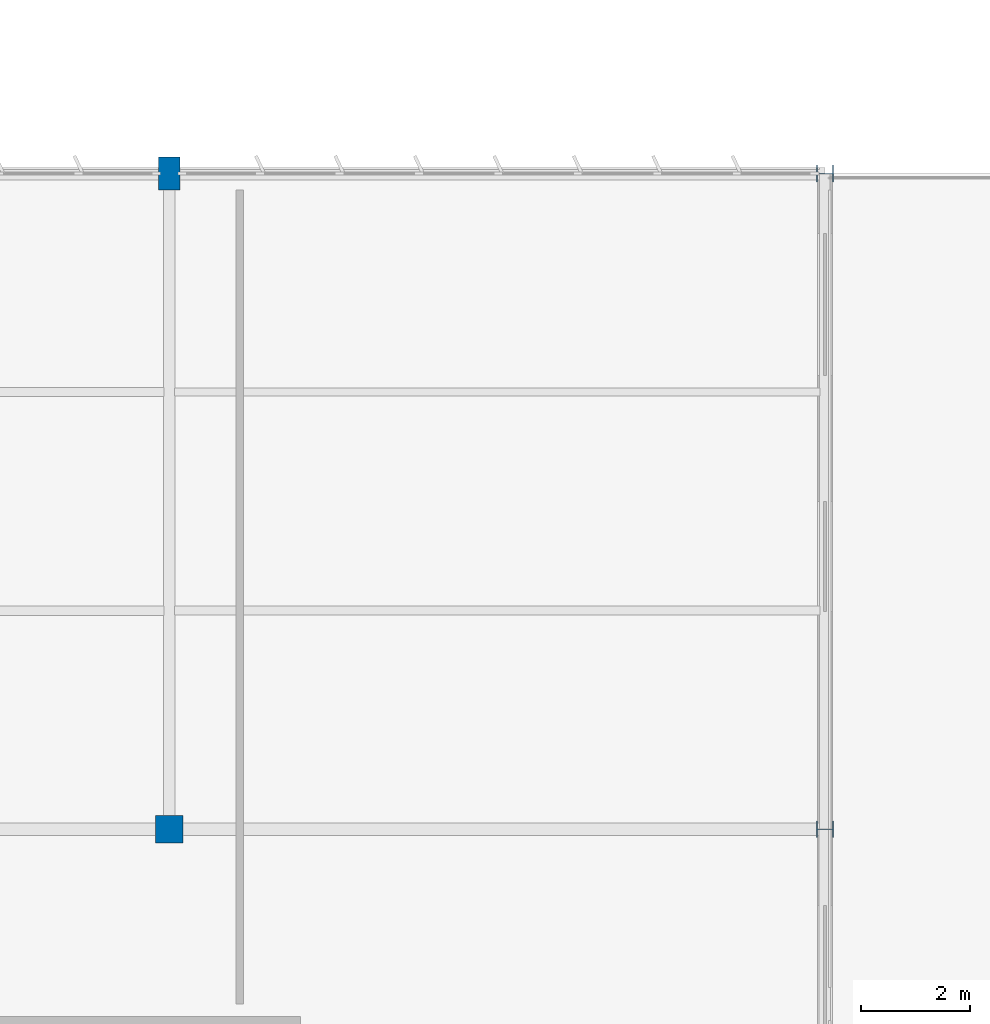
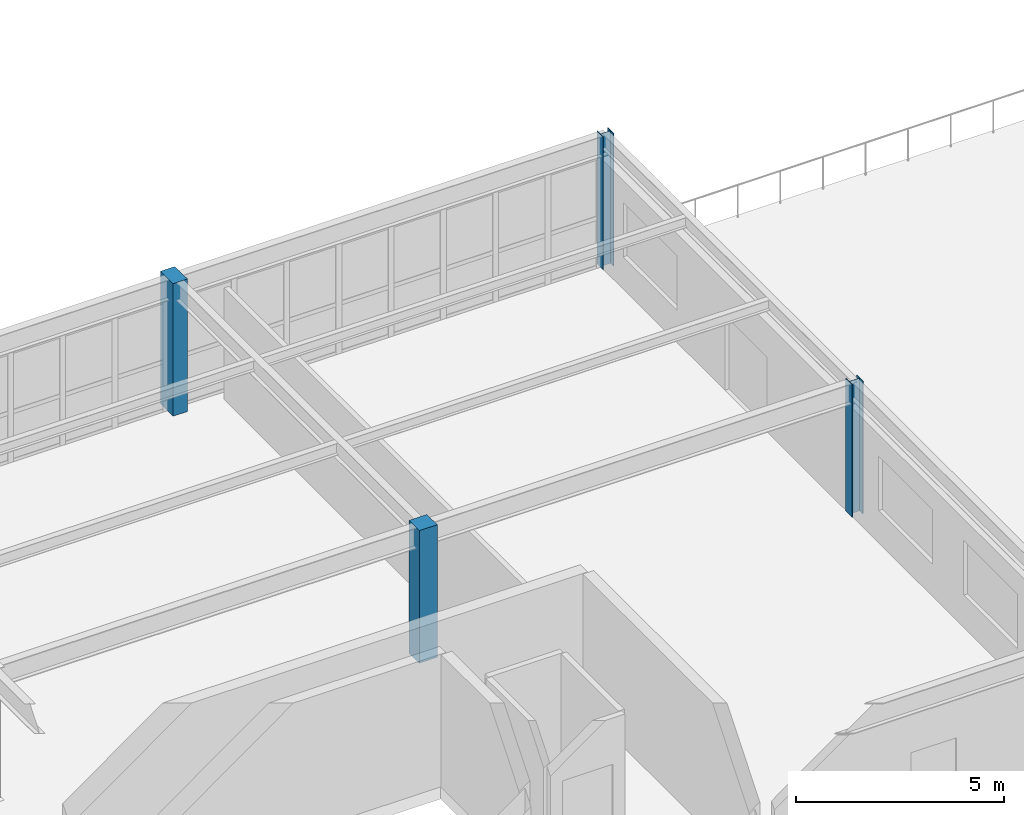
# One storey, part 20 of 128: 4 columns.
"""IFC4 building model written with IfcOpenShell, lengths in metres."""

from ifc_helpers import new_model, si_unit, direction, frame, origin, origin_2d, place, context, subcontext, project, spatial, rectangle, i_section, extrude, material, material_profile, profile_set, type_object, element, save


model = new_model("IFC4")

# Units and contexts
model_context = context("Model", 3, precision=1e-05, world=origin(), true_north=direction((0.0, 1.0)))
body_context = subcontext(model_context, "Body", "Model", "MODEL_VIEW")
ifc_project = project(units=[si_unit("LENGTHUNIT", "METRE"), si_unit("AREAUNIT", "SQUARE_METRE"), si_unit("VOLUMEUNIT", "CUBIC_METRE"), si_unit("PLANEANGLEUNIT", "RADIAN"), si_unit("MASSUNIT", "GRAM", prefix="KILO")], contexts=[model_context])

# Site, building, storey
site_placement = place(None, origin())
site = spatial("IfcSite", under=ifc_project, at=site_placement, CompositionType="ELEMENT")
building_placement = place(site_placement, origin())
building = spatial("IfcBuilding", under=site, at=building_placement, Name="Tarnwether General Hospital", CompositionType="ELEMENT")
storey_placement = place(building_placement, frame((0.0, 0.0, 14.39990234375)))
storey = spatial("IfcBuildingStorey", under=building, at=storey_placement, Name="L03", CompositionType="ELEMENT", Elevation=14.39990234375)

# Columns
ifc_material_1 = material(Name="Steel Grade 350 (350 MPa)", Category="steel")
ifc_material_profile_1 = material_profile(ifc_material_1, i_section(OverallWidth=0.306884765625, OverallDepth=0.31494140625, WebThickness=0.011962890625, FlangeThickness=0.018798828125, at=origin_2d()), Name="310UC118")
ifc_profile_set_1 = profile_set([ifc_material_profile_1], Name="Steel Grade 350 (350 MPa)")
column_type_1 = type_object("IfcColumnType", Name="COL-07", PredefinedType="COLUMN", material=ifc_profile_set_1)
column_1_placement = place(storey_placement, frame((180.0, 33.60009765625, 0.0), z_axis=(0.0, 0.0, 1.0), x_axis=(0.0, 1.0, 0.0)))
element("IfcColumn", 1, at=column_1_placement, inside=storey, type_object=column_type_1, Name="Column COLG-L03-18000_3360", PredefinedType="COLUMN", context=body_context, shape_type="SweptSolid", body=[
    extrude(i_section(OverallWidth=0.306884765625, OverallDepth=0.31494140625, WebThickness=0.011962890625, FlangeThickness=0.018798828125, at=origin_2d()), origin(), (0.0, 0.0, 1.0), 3.900146484375),
])
ifc_material_2 = material(Name="Steel Grade 350 (350 MPa)", Category="steel")
ifc_material_profile_2 = material_profile(ifc_material_2, i_section(OverallWidth=0.304931640625, OverallDepth=0.30810546875, WebThickness=0.010009765625, FlangeThickness=0.015380859375, at=origin_2d()), Name="310UC96.8")
ifc_profile_set_2 = profile_set([ifc_material_profile_2], Name="Steel Grade 350 (350 MPa)")
column_type_2 = type_object("IfcColumnType", Name="COL-08", PredefinedType="COLUMN", material=ifc_profile_set_2)
column_2_placement = place(storey_placement, frame((180.0, 45.60009765625, 0.0), z_axis=(0.0, 0.0, 1.0), x_axis=(0.0, 1.0, 0.0)))
element("IfcColumn", 2, at=column_2_placement, inside=storey, type_object=column_type_2, Name="Column COLG-L03-18000_4560", PredefinedType="COLUMN", context=body_context, shape_type="SweptSolid", body=[
    extrude(i_section(OverallWidth=0.304931640625, OverallDepth=0.30810546875, WebThickness=0.010009765625, FlangeThickness=0.015380859375, at=origin_2d()), origin(), (0.0, 0.0, 1.0), 3.900146484375),
])
ifc_material_3 = material(Name="Concrete 50 MPa", Category="concrete")
ifc_material_profile_3 = material_profile(ifc_material_3, rectangle(XDim=0.5, YDim=0.5, at=origin_2d()), Name="RC-COL-500x500")
ifc_profile_set_3 = profile_set([ifc_material_profile_3], Name="Concrete 50 MPa")
column_type_3 = type_object("IfcColumnType", Name="COL-20", PredefinedType="COLUMN", material=ifc_profile_set_3)
column_3_placement = place(storey_placement, frame((168.0, 33.60009765625, 0.0), z_axis=(0.0, 0.0, 1.0), x_axis=(1.0, 0.0, 0.0)))
element("IfcColumn", 3, at=column_3_placement, inside=storey, type_object=column_type_3, Name="Column COLG-L03-16800_3360", PredefinedType="COLUMN", context=body_context, shape_type="SweptSolid", body=[
    extrude(rectangle(XDim=0.5, YDim=0.5, at=origin_2d()), origin(), (0.0, 0.0, 1.0), 3.900146484375),
])
ifc_material_4 = material(Name="Concrete 50 MPa", Category="concrete")
ifc_material_profile_4 = material_profile(ifc_material_4, rectangle(XDim=0.39990234375, YDim=0.60009765625, at=origin_2d()), Name="RC-PIL-400x600")
ifc_profile_set_4 = profile_set([ifc_material_profile_4], Name="Concrete 50 MPa")
column_type_4 = type_object("IfcColumnType", Name="COL-21", PredefinedType="PILASTER", material=ifc_profile_set_4)
column_4_placement = place(storey_placement, frame((168.0, 45.60009765625, 0.0), z_axis=(0.0, 0.0, 1.0), x_axis=(1.0, 0.0, 0.0)))
element("IfcColumn", 4, at=column_4_placement, inside=storey, type_object=column_type_4, Name="Column COLG-L03-16800_4560", PredefinedType="PILASTER", context=body_context, shape_type="SweptSolid", body=[
    extrude(rectangle(XDim=0.39990234375, YDim=0.60009765625, at=origin_2d()), origin(), (0.0, 0.0, 1.0), 3.900146484375),
])

save(model, "model.ifc")
